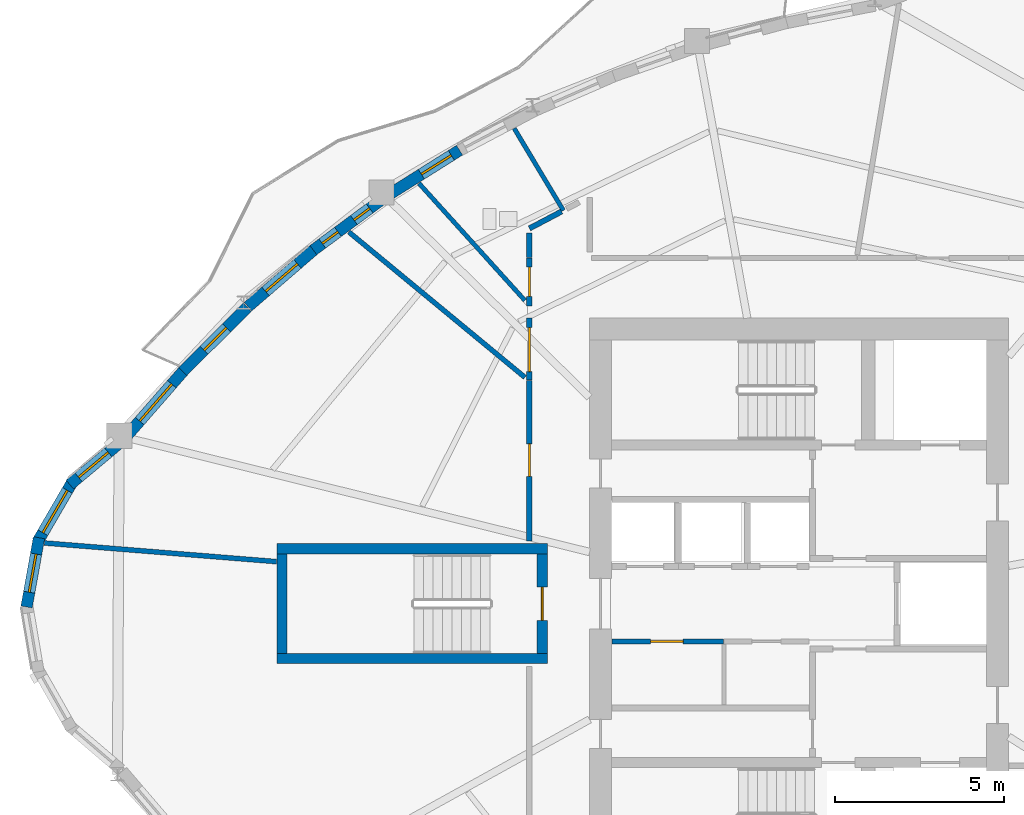
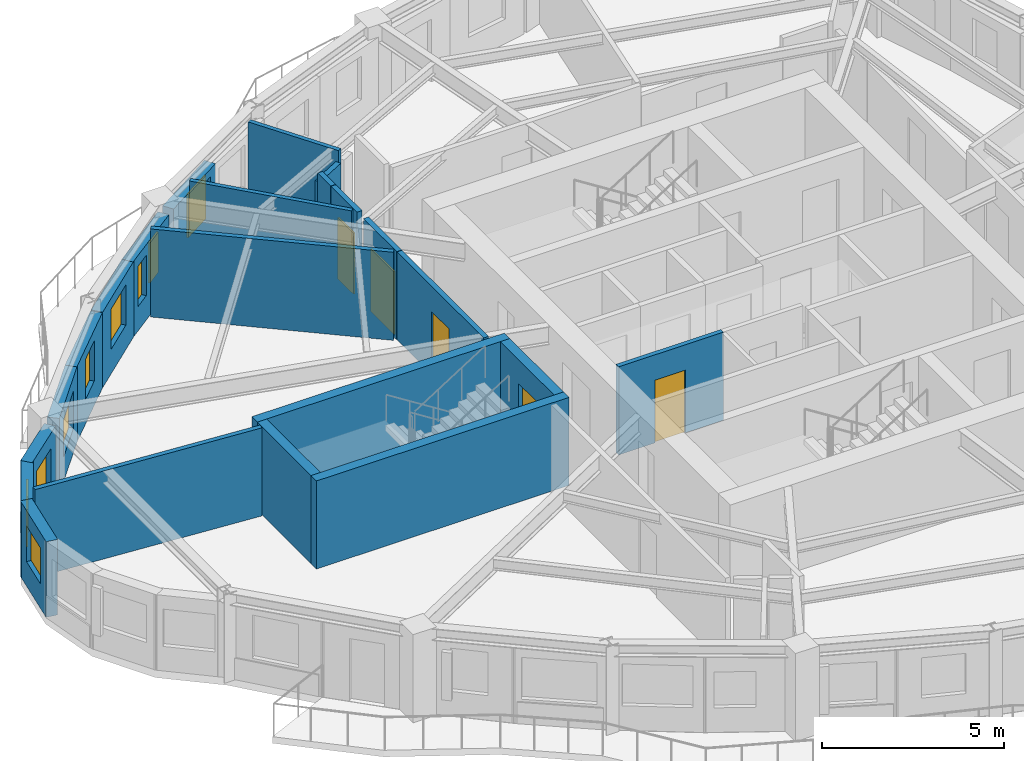
# One storey, part 4 of 11: 22 walls, 9 windows, 5 doors, 14 openings.
"""IFC4 building model written with IfcOpenShell, lengths in metres."""

from ifc_helpers import new_model, si_unit, direction, frame, frame_2d, origin, place, context, subcontext, project, spatial, rectangle, extrude, source, transform, mapped, material, layer, layer_set, type_object, element, fill, save


model = new_model("IFC4")

# Units and contexts
model_context = context("Model", 3, precision=1e-05, world=origin(), true_north=direction((0.0, 1.0)))
body_context = subcontext(model_context, "Body", "Model", "MODEL_VIEW")
ifc_project = project(units=[si_unit("LENGTHUNIT", "METRE"), si_unit("AREAUNIT", "SQUARE_METRE"), si_unit("VOLUMEUNIT", "CUBIC_METRE"), si_unit("PLANEANGLEUNIT", "RADIAN"), si_unit("MASSUNIT", "GRAM", prefix="KILO")], contexts=[model_context])

# Site, building, storey
site_placement = place(None, origin())
site = spatial("IfcSite", under=ifc_project, at=site_placement, CompositionType="ELEMENT")
building_placement = place(site_placement, origin())
building = spatial("IfcBuilding", under=site, at=building_placement, Name="Qafzar Sky-Pleat Residences", CompositionType="ELEMENT")
storey_placement = place(building_placement, frame((0.0, 0.0, 168.199951171875)))
storey = spatial("IfcBuildingStorey", under=building, at=storey_placement, Name="L50", CompositionType="ELEMENT", Elevation=168.199951171875)

# Wall, opening, door
ifc_material_1 = material(Name="Acoustic gypsum plasterboard partition", Category="gypsum")
ifc_layer_1 = layer(ifc_material_1, 0.159912109375)
ifc_layer_set_1 = layer_set([ifc_layer_1], Name="Acoustic gypsum plasterboard partition")
wall_type_1 = type_object("IfcWallType", Name="PART-COR-160", PredefinedType="PARTITIONING", material=ifc_layer_set_1)
wall_1_placement = place(storey_placement, frame((22.3701171875, 27.85009765625, 0.0), z_axis=(0.0, 0.0, 1.0), x_axis=(0.0, 1.0, 0.0)))
wall_1 = element("IfcWall", 1, at=wall_1_placement, inside=storey, type_object=wall_type_1, Name="L50 Partition Wall PART-L50-PW-004", PredefinedType="PARTITIONING", context=body_context, shape_type="SweptSolid", body=[
    extrude(rectangle(XDim=4.7587890625, YDim=0.159912109375, at=frame_2d((2.37939453125, 0.0))), origin(), (0.0, 0.0, 1.0), 2.949951171875),
])
opening_1_placement = place(wall_1_placement, frame((1.9189453125, 0.0, 0.0)))
opening_1 = element("IfcOpeningElement", 2, at=opening_1_placement, cuts=wall_1, Name="Opening ID-06", PredefinedType="OPENING", context=body_context, shape_type="SweptSolid", body=[
    extrude(rectangle(XDim=0.9599609375, YDim=2.10009765625, at=frame_2d((0.47998046875, 1.050048828125))), frame((0.0, 0.08984375, 0.0), z_axis=(0.0, -1.0, 0.0), x_axis=(1.0, 0.0, 0.0)), (0.0, 0.0, 1.0), 0.179931640625),
])
ifc_material_2 = material(Name="Timber-faced fire door", Category="wood")
door_type_1 = type_object("IfcDoorType", Name="DR-STD-960", OperationType="NOTDEFINED", PredefinedType="DOOR", material=ifc_material_2)
shared_shape_1 = source(origin(), body_context, "Body", "SweptSolid", [
    extrude(rectangle(XDim=0.9599609375, YDim=2.10009765625, at=frame_2d((0.47998046875, 1.050048828125))), frame((0.0, 0.02490234375, 0.0), z_axis=(0.0, -1.0, 0.0), x_axis=(1.0, 0.0, 0.0)), (0.0, 0.0, 1.0), 0.050048828125),
])
door_1_placement = place(opening_1_placement, origin())
door_1 = element("IfcDoor", 3, at=door_1_placement, inside=storey, type_object=door_type_1, Name="L50 Graduate Desk Workspace Door", OperationType="SINGLE_SWING_RIGHT", OverallHeight=2.10009765625, OverallWidth=0.9599609375, PredefinedType="DOOR", context=body_context, shape_type="MappedRepresentation", body=[
    mapped(shared_shape_1, transform((0.0, 0.0, 0.0), x_axis=(1.0, 0.0, 0.0), y_axis=(0.0, 1.0, 0.0), z_axis=(0.0, 0.0, 1.0), scale=1.0)),
])
fill(opening_1, door_1)

wall_2_placement = place(storey_placement, frame((22.3701171875, 32.6240234375, 0.0), z_axis=(0.0, 0.0, 1.0), x_axis=(0.0, 1.0, 0.0)))
wall_2 = element("IfcWall", 4, at=wall_2_placement, inside=storey, type_object=wall_type_1, Name="L50 Partition Wall PART-L50-PW-009", PredefinedType="PARTITIONING", context=body_context, shape_type="SweptSolid", body=[
    extrude(rectangle(XDim=1.825927734375, YDim=0.159912109375, at=frame_2d((0.9130859375, 0.0))), origin(), (0.0, 0.0, 1.0), 2.949951171875),
])
opening_2_placement = place(wall_2_placement, frame((0.24560546875, 0.0, 0.0)))
opening_2 = element("IfcOpeningElement", 5, at=opening_2_placement, cuts=wall_2, Name="Opening ID-05", PredefinedType="OPENING", context=body_context, shape_type="SweptSolid", body=[
    extrude(rectangle(XDim=1.300048828125, YDim=2.10009765625, at=frame_2d((0.64990234375, 1.050048828125))), frame((0.0, 0.08984375, 0.0), z_axis=(0.0, -1.0, 0.0), x_axis=(1.0, 0.0, 0.0)), (0.0, 0.0, 1.0), 0.179931640625),
])
door_type_2 = type_object("IfcDoorType", Name="DR-LNG-1300", OperationType="DOUBLE_DOOR_SINGLE_SWING", PredefinedType="DOOR", material=ifc_material_2)
shared_shape_2 = source(origin(), body_context, "Body", "SweptSolid", [
    extrude(rectangle(XDim=1.300048828125, YDim=2.10009765625, at=frame_2d((0.64990234375, 1.050048828125))), frame((0.0, 0.02490234375, 0.0), z_axis=(0.0, -1.0, 0.0), x_axis=(1.0, 0.0, 0.0)), (0.0, 0.0, 1.0), 0.050048828125),
])
door_2_placement = place(opening_2_placement, origin())
door_2 = element("IfcDoor", 6, at=door_2_placement, inside=storey, type_object=door_type_2, Name="L50 Scholar Study Room Door", OperationType="DOUBLE_DOOR_SINGLE_SWING", OverallHeight=2.10009765625, OverallWidth=1.300048828125, PredefinedType="DOOR", context=body_context, shape_type="MappedRepresentation", body=[
    mapped(shared_shape_2, transform((0.0, 0.0, 0.0), x_axis=(1.0, 0.0, 0.0), y_axis=(0.0, 1.0, 0.0), z_axis=(0.0, 0.0, 1.0), scale=1.0)),
])
fill(opening_2, door_2)

wall_3_placement = place(storey_placement, frame((22.3701171875, 34.802978515625, 0.0), z_axis=(0.0, 0.0, 1.0), x_axis=(0.0, 1.0, 0.0)))
wall_3 = element("IfcWall", 7, at=wall_3_placement, inside=storey, type_object=wall_type_1, Name="L50 Partition Wall PART-L50-PW-010", PredefinedType="PARTITIONING", context=body_context, shape_type="SweptSolid", body=[
    extrude(rectangle(XDim=1.427001953125, YDim=0.159912109375, at=frame_2d((0.71337890625, 0.0))), origin(), (0.0, 0.0, 1.0), 2.949951171875),
])
opening_3_placement = place(wall_3_placement, frame((0.294921875, 0.0, 0.0)))
opening_3 = element("IfcOpeningElement", 8, at=opening_3_placement, cuts=wall_3, Name="Opening ID-09", PredefinedType="OPENING", context=body_context, shape_type="SweptSolid", body=[
    extrude(rectangle(XDim=0.860107421875, YDim=2.050048828125, at=frame_2d((0.43017578125, 1.02490234375))), frame((0.0, 0.08984375, 0.0), z_axis=(0.0, -1.0, 0.0), x_axis=(1.0, 0.0, 0.0)), (0.0, 0.0, 1.0), 0.179931640625),
])
door_type_3 = type_object("IfcDoorType", Name="DR-SVC-860", OperationType="NOTDEFINED", PredefinedType="DOOR", material=ifc_material_2)
shared_shape_3 = source(origin(), body_context, "Body", "SweptSolid", [
    extrude(rectangle(XDim=0.860107421875, YDim=2.050048828125, at=frame_2d((0.43017578125, 1.02490234375))), frame((0.0, 0.02490234375, 0.0), z_axis=(0.0, -1.0, 0.0), x_axis=(1.0, 0.0, 0.0)), (0.0, 0.0, 1.0), 0.050048828125),
])
door_3_placement = place(opening_3_placement, origin())
door_3 = element("IfcDoor", 9, at=door_3_placement, inside=storey, type_object=door_type_3, Name="L50 Accessible Shared Washroom Door", OperationType="SINGLE_SWING_RIGHT", OverallHeight=2.050048828125, OverallWidth=0.860107421875, PredefinedType="DOOR", context=body_context, shape_type="MappedRepresentation", body=[
    mapped(shared_shape_3, transform((0.0, 0.0, 0.0), x_axis=(1.0, 0.0, 0.0), y_axis=(0.0, 1.0, 0.0), z_axis=(0.0, 0.0, 1.0), scale=1.0)),
])
fill(opening_3, door_3)

# Walls
wall_4_placement = place(storey_placement, frame((22.3701171875, 37.10498046875, 0.0), z_axis=(0.0, 0.0, 1.0), x_axis=(0.884455008011, 0.466625480234, 0.0)))
element("IfcWall", 10, at=wall_4_placement, inside=storey, type_object=wall_type_1, Name="L50 Partition Wall PART-L50-PW-025", PredefinedType="PARTITIONING", context=body_context, shape_type="SweptSolid", body=[
    extrude(rectangle(XDim=1.07568359375, YDim=0.159912109375, at=frame_2d((0.537841796875, 0.0))), origin(), (0.0, 0.0, 1.0), 2.55810546875),
])
wall_5_placement = place(storey_placement, frame((22.3701171875, 36.2451171875, 0.0), z_axis=(0.0, 0.0, 1.0), x_axis=(0.0, 1.0, 0.0)))
element("IfcWall", 11, at=wall_5_placement, inside=storey, type_object=wall_type_1, Name="L50 Partition Wall PART-L50-PW-027", PredefinedType="PARTITIONING", context=body_context, shape_type="SweptSolid", body=[
    extrude(rectangle(XDim=0.71923828125, YDim=0.159912109375, at=frame_2d((0.359619140625, 0.0))), origin(), (0.0, 0.0, 1.0), 2.949951171875),
])

# Wall, opening, door
ifc_layer_2 = layer(ifc_material_1, 0.14501953125)
ifc_layer_set_2 = layer_set([ifc_layer_2], Name="Acoustic gypsum plasterboard partition")
wall_type_2 = type_object("IfcWallType", Name="PART-UNIT-145", PredefinedType="PARTITIONING", material=ifc_layer_set_2)
wall_6_placement = place(storey_placement, frame((24.81005859375, 24.8798828125, 0.0), z_axis=(0.0, 0.0, 1.0), x_axis=(1.0, 0.0, 0.0)))
wall_6 = element("IfcWall", 12, at=wall_6_placement, inside=storey, type_object=wall_type_2, Name="L50 Partition Wall PART-L50-RECLAIM-N1", PredefinedType="PARTITIONING", context=body_context, shape_type="SweptSolid", body=[
    extrude(rectangle(XDim=3.31005859375, YDim=0.14501953125, at=frame_2d((1.655029296875, 0.0))), origin(), (0.0, 0.0, 1.0), 2.949951171875),
])
opening_4_placement = place(wall_6_placement, frame((1.14990234375, 0.0, 0.0)))
opening_4 = element("IfcOpeningElement", 13, at=opening_4_placement, cuts=wall_6, Name="Opening ID-06", PredefinedType="OPENING", context=body_context, shape_type="SweptSolid", body=[
    extrude(rectangle(XDim=0.9599609375, YDim=2.10009765625, at=frame_2d((0.47998046875, 1.050048828125))), frame((0.0, 0.08251953125, 0.0), z_axis=(0.0, -1.0, 0.0), x_axis=(1.0, 0.0, 0.0)), (0.0, 0.0, 1.0), 0.1650390625),
])
door_4_placement = place(opening_4_placement, origin())
door_4 = element("IfcDoor", 14, at=door_4_placement, inside=storey, type_object=door_type_1, Name="L50 Reclaimed Quiet Study Room Door", OperationType="SINGLE_SWING_LEFT", OverallHeight=2.10009765625, OverallWidth=0.9599609375, PredefinedType="DOOR", context=body_context, shape_type="MappedRepresentation", body=[
    mapped(shared_shape_1, transform((0.0, 0.0, 0.0), x_axis=(1.0, 0.0, 0.0), y_axis=(0.0, 1.0, 0.0), z_axis=(0.0, 0.0, 1.0), scale=1.0)),
])
fill(opening_4, door_4)

# Walls
wall_7_placement = place(storey_placement, frame((17.028076171875, 36.999755859375, 0.0), z_axis=(0.0, 0.0, 1.0), x_axis=(0.771119105053, -0.636690918596, 0.0)))
element("IfcWall", 15, at=wall_7_placement, inside=storey, type_object=wall_type_2, Name="L50 Partition Wall PART-L50-PW-013", PredefinedType="PARTITIONING", context=body_context, shape_type="SweptSolid", body=[
    extrude(rectangle(XDim=6.756103515625, YDim=0.14501953125, at=frame_2d((3.3779296875, 0.0))), origin(), (0.0, 0.0, 1.0), 2.949951171875),
])
wall_8_placement = place(storey_placement, frame((8.015380859375, 27.79736328125, 0.0), z_axis=(0.0, 0.0, 1.0), x_axis=(0.996785477909, -0.080116858581, 0.0)))
element("IfcWall", 16, at=wall_8_placement, inside=storey, type_object=wall_type_2, Name="L50 Partition Wall PART-L50-PW-014", PredefinedType="PARTITIONING", context=body_context, shape_type="SweptSolid", body=[
    extrude(rectangle(XDim=6.89306640625, YDim=0.14501953125, at=frame_2d((3.446533203125, 0.0))), origin(), (0.0, 0.0, 1.0), 2.949951171875),
])
ifc_material_3 = material(Name="Moisture-resistant gypsum partition", Category="gypsum")
ifc_layer_3 = layer(ifc_material_3, 0.1298828125)
ifc_layer_set_3 = layer_set([ifc_layer_3], Name="Moisture-resistant gypsum partition")
wall_type_3 = type_object("IfcWallType", Name="PART-WET-130", PredefinedType="PARTITIONING", material=ifc_layer_set_3)
wall_9_placement = place(storey_placement, frame((19.100830078125, 38.441162109375, 0.0), z_axis=(0.0, 0.0, 1.0), x_axis=(0.670702711046, -0.741726279295, 0.0)))
element("IfcWall", 17, at=wall_9_placement, inside=storey, type_object=wall_type_3, Name="L50 Partition Wall PART-L50-PW-017", PredefinedType="PARTITIONING", context=body_context, shape_type="SweptSolid", body=[
    extrude(rectangle(XDim=4.675048828125, YDim=0.1298828125, at=frame_2d((2.33740234375, 0.0))), origin(), (0.0, 0.0, 1.0), 2.949951171875),
])
wall_10_placement = place(storey_placement, frame((21.920166015625, 40.065185546875, 0.0), z_axis=(0.0, 0.0, 1.0), x_axis=(0.514051974364, -0.857759038223, 0.0)))
element("IfcWall", 18, at=wall_10_placement, inside=storey, type_object=wall_type_3, Name="L50 Partition Wall PART-L50-PW-019", PredefinedType="PARTITIONING", context=body_context, shape_type="SweptSolid", body=[
    extrude(rectangle(XDim=2.83203125, YDim=0.1298828125, at=frame_2d((1.416015625, 0.0))), origin(), (0.0, 0.0, 1.0), 2.949951171875),
])

# Wall, opening, window
ifc_material_4 = material(Name="Precast concrete C40/50 with honed Riyadh limestone", Category="concrete")
ifc_layer_4 = layer(ifc_material_4, 0.340087890625)
ifc_layer_set_4 = layer_set([ifc_layer_4], Name="Precast concrete C40/50 with honed Riyadh limestone")
wall_type_4 = type_object("IfcWallType", Name="WALL-EXT-340", PredefinedType="SOLIDWALL", material=ifc_layer_set_4)
wall_11_placement = place(storey_placement, frame((10.218994140625, 30.7373046875, 0.0), z_axis=(0.0, 0.0, 1.0), x_axis=(-0.76661852922, -0.642102819381, 0.0)))
wall_11 = element("IfcWall", 19, at=wall_11_placement, inside=storey, type_object=wall_type_4, Name="L50 Limestone Facade Wall 1", PredefinedType="SOLIDWALL", context=body_context, shape_type="SweptSolid", body=[
    extrude(rectangle(XDim=1.88818359375, YDim=0.340087890625, at=frame_2d((0.944091796875, 0.0))), origin(), (0.0, 0.0, 1.0), 2.530029296875),
])
opening_5_placement = place(wall_11_placement, frame((0.404052734375, 0.0, 0.820068359375)))
opening_5 = element("IfcOpeningElement", 20, at=opening_5_placement, cuts=wall_11, Name="Opening WN-16", PredefinedType="OPENING", context=body_context, shape_type="SweptSolid", body=[
    extrude(rectangle(XDim=1.14990234375, YDim=1.199951171875, at=frame_2d((0.574951171875, 0.60009765625))), frame((0.0, 0.18017578125, 0.0), z_axis=(0.0, -1.0, 0.0), x_axis=(1.0, 0.0, 0.0)), (0.0, 0.0, 1.0), 0.360107421875),
])
ifc_material_5 = material(Name="Solar-control low-E glass in bronze aluminium frame", Category="glass")
window_type_1 = type_object("IfcWindowType", Name="WIN-16", PartitioningType="SINGLE_PANEL", PredefinedType="WINDOW", material=ifc_material_5)
shared_shape_4 = source(origin(), body_context, "Body", "SweptSolid", [
    extrude(rectangle(XDim=1.14990234375, YDim=1.199951171875, at=frame_2d((0.574951171875, 0.60009765625))), frame((0.0, 0.030029296875, 0.0), z_axis=(0.0, -1.0, 0.0), x_axis=(1.0, 0.0, 0.0)), (0.0, 0.0, 1.0), 0.06005859375),
])
window_1_placement = place(opening_5_placement, origin())
window_1 = element("IfcWindow", 21, at=window_1_placement, inside=storey, type_object=window_type_1, Name="L50 Punched Facade Window 01", OverallHeight=1.199951171875, OverallWidth=1.14990234375, PartitioningType="SINGLE_PANEL", PredefinedType="WINDOW", context=body_context, shape_type="MappedRepresentation", body=[
    mapped(shared_shape_4, transform((0.0, 0.0, 0.0), x_axis=(1.0, 0.0, 0.0), y_axis=(0.0, 1.0, 0.0), z_axis=(0.0, 0.0, 1.0), scale=1.0)),
])
fill(opening_5, window_1)

wall_12_placement = place(storey_placement, frame((8.857666015625, 29.627197265625, 0.0), z_axis=(0.0, 0.0, 1.0), x_axis=(-0.502177965272, -0.864764298058, 0.0)))
wall_12 = element("IfcWall", 22, at=wall_12_placement, inside=storey, type_object=wall_type_4, Name="L50 Limestone Facade Wall 2", PredefinedType="SOLIDWALL", context=body_context, shape_type="SweptSolid", body=[
    extrude(rectangle(XDim=2.081298828125, YDim=0.340087890625, at=frame_2d((1.04052734375, 0.0))), origin(), (0.0, 0.0, 1.0), 2.530029296875),
])
opening_6_placement = place(wall_12_placement, frame((0.3154296875, 0.0, 0.820068359375)))
opening_6 = element("IfcOpeningElement", 23, at=opening_6_placement, cuts=wall_12, Name="Opening WN-15", PredefinedType="OPENING", context=body_context, shape_type="SweptSolid", body=[
    extrude(rectangle(XDim=1.449951171875, YDim=1.25, at=frame_2d((0.72509765625, 0.625))), frame((0.0, 0.18017578125, 0.0), z_axis=(0.0, -1.0, 0.0), x_axis=(1.0, 0.0, 0.0)), (0.0, 0.0, 1.0), 0.360107421875),
])
window_type_2 = type_object("IfcWindowType", Name="WIN-15", PartitioningType="SINGLE_PANEL", PredefinedType="WINDOW", material=ifc_material_5)
shared_shape_5 = source(origin(), body_context, "Body", "SweptSolid", [
    extrude(rectangle(XDim=1.449951171875, YDim=1.25, at=frame_2d((0.72509765625, 0.625))), frame((0.0, 0.030029296875, 0.0), z_axis=(0.0, -1.0, 0.0), x_axis=(1.0, 0.0, 0.0)), (0.0, 0.0, 1.0), 0.06005859375),
])
window_2_placement = place(opening_6_placement, origin())
window_2 = element("IfcWindow", 24, at=window_2_placement, inside=storey, type_object=window_type_2, Name="L50 Punched Facade Window 02", OverallHeight=1.25, OverallWidth=1.449951171875, PartitioningType="SINGLE_PANEL", PredefinedType="WINDOW", context=body_context, shape_type="MappedRepresentation", body=[
    mapped(shared_shape_5, transform((0.0, 0.0, 0.0), x_axis=(1.0, 0.0, 0.0), y_axis=(0.0, 1.0, 0.0), z_axis=(0.0, 0.0, 1.0), scale=1.0)),
])
fill(opening_6, window_2)

wall_13_placement = place(storey_placement, frame((7.858642578125, 27.952880859375, 0.0), z_axis=(0.0, 0.0, 1.0), x_axis=(-0.177605215389, -0.984101817632, 0.0)))
wall_13 = element("IfcWall", 25, at=wall_13_placement, inside=storey, type_object=wall_type_4, Name="L50 Limestone Facade Wall 3", PredefinedType="SOLIDWALL", context=body_context, shape_type="SweptSolid", body=[
    extrude(rectangle(XDim=2.081298828125, YDim=0.340087890625, at=frame_2d((1.04052734375, 0.0))), origin(), (0.0, 0.0, 1.0), 2.530029296875),
])
opening_7_placement = place(wall_13_placement, frame((0.4892578125, 0.0, 0.820068359375)))
opening_7 = element("IfcOpeningElement", 26, at=opening_7_placement, cuts=wall_13, Name="Opening WN-16", PredefinedType="OPENING", context=body_context, shape_type="SweptSolid", body=[
    extrude(rectangle(XDim=1.14990234375, YDim=1.199951171875, at=frame_2d((0.574951171875, 0.60009765625))), frame((0.0, 0.18017578125, 0.0), z_axis=(0.0, -1.0, 0.0), x_axis=(1.0, 0.0, 0.0)), (0.0, 0.0, 1.0), 0.360107421875),
])
window_3_placement = place(opening_7_placement, origin())
window_3 = element("IfcWindow", 27, at=window_3_placement, inside=storey, type_object=window_type_1, Name="L50 Punched Facade Window 03", OverallHeight=1.199951171875, OverallWidth=1.14990234375, PartitioningType="SINGLE_PANEL", PredefinedType="WINDOW", context=body_context, shape_type="MappedRepresentation", body=[
    mapped(shared_shape_4, transform((0.0, 0.0, 0.0), x_axis=(1.0, 0.0, 0.0), y_axis=(0.0, 1.0, 0.0), z_axis=(0.0, 0.0, 1.0), scale=1.0)),
])
fill(opening_7, window_3)

wall_14_placement = place(storey_placement, frame((20.302734375, 39.4208984375, 0.0), z_axis=(0.0, 0.0, 1.0), x_axis=(-0.846381586821, -0.532576951707, 0.0)))
wall_14 = element("IfcWall", 28, at=wall_14_placement, inside=storey, type_object=wall_type_4, Name="L50 Limestone Facade Wall 44", PredefinedType="SOLIDWALL", context=body_context, shape_type="SweptSolid", body=[
    extrude(rectangle(XDim=2.46630859375, YDim=0.340087890625, at=frame_2d((1.233154296875, 0.0))), origin(), (0.0, 0.0, 1.0), 2.530029296875),
])
opening_8_placement = place(wall_14_placement, frame((0.287109375, 0.0, 0.820068359375)))
opening_8 = element("IfcOpeningElement", 29, at=opening_8_placement, cuts=wall_14, Name="Opening WN-06", PredefinedType="OPENING", context=body_context, shape_type="SweptSolid", body=[
    extrude(rectangle(XDim=1.050048828125, YDim=1.449951171875, at=frame_2d((0.52490234375, 0.72509765625))), frame((0.0, 0.18017578125, 0.0), z_axis=(0.0, -1.0, 0.0), x_axis=(1.0, 0.0, 0.0)), (0.0, 0.0, 1.0), 0.360107421875),
])
window_type_3 = type_object("IfcWindowType", Name="WIN-06", PartitioningType="SINGLE_PANEL", PredefinedType="WINDOW", material=ifc_material_5)
shared_shape_6 = source(origin(), body_context, "Body", "SweptSolid", [
    extrude(rectangle(XDim=1.050048828125, YDim=1.449951171875, at=frame_2d((0.52490234375, 0.72509765625))), frame((0.0, 0.030029296875, 0.0), z_axis=(0.0, -1.0, 0.0), x_axis=(1.0, 0.0, 0.0)), (0.0, 0.0, 1.0), 0.06005859375),
])
window_4_placement = place(opening_8_placement, origin())
window_4 = element("IfcWindow", 30, at=window_4_placement, inside=storey, type_object=window_type_3, Name="L50 Punched Facade Window 44", OverallHeight=1.449951171875, OverallWidth=1.050048828125, PartitioningType="SINGLE_PANEL", PredefinedType="WINDOW", context=body_context, shape_type="MappedRepresentation", body=[
    mapped(shared_shape_6, transform((0.0, 0.0, 0.0), x_axis=(1.0, 0.0, 0.0), y_axis=(0.0, 1.0, 0.0), z_axis=(0.0, 0.0, 1.0), scale=1.0)),
])
fill(opening_8, window_4)

# Wall, openings, windows
wall_15_placement = place(storey_placement, frame((17.97021484375, 37.93994140625, 0.0), z_axis=(0.0, 0.0, 1.0), x_axis=(-0.803844722302, -0.594839190393, 0.0)))
wall_15 = element("IfcWall", 31, at=wall_15_placement, inside=storey, type_object=wall_type_4, Name="L50 Limestone Facade Wall 45", PredefinedType="SOLIDWALL", context=body_context, shape_type="SweptSolid", body=[
    extrude(rectangle(XDim=2.48095703125, YDim=0.340087890625, at=frame_2d((1.240478515625, 0.0))), origin(), (0.0, 0.0, 1.0), 2.530029296875),
])
opening_9_placement = place(wall_15_placement, frame((0.4072265625, 0.0, 0.820068359375)))
opening_9 = element("IfcOpeningElement", 32, at=opening_9_placement, cuts=wall_15, Name="Opening WN-17", PredefinedType="OPENING", context=body_context, shape_type="SweptSolid", body=[
    extrude(rectangle(XDim=0.580078125, YDim=1.35009765625, at=frame_2d((0.2900390625, 0.675048828125))), frame((0.0, 0.18017578125, 0.0), z_axis=(0.0, -1.0, 0.0), x_axis=(1.0, 0.0, 0.0)), (0.0, 0.0, 1.0), 0.360107421875),
])
opening_10_placement = place(wall_15_placement, frame((1.572998046875, 0.0, 0.820068359375)))
opening_10 = element("IfcOpeningElement", 33, at=opening_10_placement, cuts=wall_15, Name="Opening WN-17", PredefinedType="OPENING", context=body_context, shape_type="SweptSolid", body=[
    extrude(rectangle(XDim=0.580078125, YDim=1.35009765625, at=frame_2d((0.2900390625, 0.675048828125))), frame((0.0, 0.18017578125, 0.0), z_axis=(0.0, -1.0, 0.0), x_axis=(1.0, 0.0, 0.0)), (0.0, 0.0, 1.0), 0.360107421875),
])
window_type_4 = type_object("IfcWindowType", Name="WIN-17", PartitioningType="SINGLE_PANEL", PredefinedType="WINDOW", material=ifc_material_5)
shared_shape_7 = source(origin(), body_context, "Body", "SweptSolid", [
    extrude(rectangle(XDim=0.580078125, YDim=1.35009765625, at=frame_2d((0.2900390625, 0.675048828125))), frame((0.0, 0.030029296875, 0.0), z_axis=(0.0, -1.0, 0.0), x_axis=(1.0, 0.0, 0.0)), (0.0, 0.0, 1.0), 0.06005859375),
])
window_5_placement = place(opening_9_placement, origin())
window_5 = element("IfcWindow", 34, at=window_5_placement, inside=storey, type_object=window_type_4, Name="L50 Punched Facade Window 45", OverallHeight=1.35009765625, OverallWidth=0.580078125, PartitioningType="SINGLE_PANEL", PredefinedType="WINDOW", context=body_context, shape_type="MappedRepresentation", body=[
    mapped(shared_shape_7, transform((0.0, 0.0, 0.0), x_axis=(1.0, 0.0, 0.0), y_axis=(0.0, 1.0, 0.0), z_axis=(0.0, 0.0, 1.0), scale=1.0)),
])
fill(opening_9, window_5)
window_6_placement = place(opening_10_placement, origin())
window_6 = element("IfcWindow", 35, at=window_6_placement, inside=storey, type_object=window_type_4, Name="L50 Punched Facade Window 45-2", OverallHeight=1.35009765625, OverallWidth=0.580078125, PartitioningType="SINGLE_PANEL", PredefinedType="WINDOW", context=body_context, shape_type="MappedRepresentation", body=[
    mapped(shared_shape_7, transform((0.0, 0.0, 0.0), x_axis=(1.0, 0.0, 0.0), y_axis=(0.0, 1.0, 0.0), z_axis=(0.0, 0.0, 1.0), scale=1.0)),
])
fill(opening_10, window_6)

# Wall, opening, window
wall_16_placement = place(storey_placement, frame((16.044921875, 36.519287109375, 0.0), z_axis=(0.0, 0.0, 1.0), x_axis=(-0.757449302754, -0.652893983551, 0.0)))
wall_16 = element("IfcWall", 36, at=wall_16_placement, inside=storey, type_object=wall_type_4, Name="L50 Limestone Facade Wall 46", PredefinedType="SOLIDWALL", context=body_context, shape_type="SweptSolid", body=[
    extrude(rectangle(XDim=2.6455078125, YDim=0.340087890625, at=frame_2d((1.32275390625, 0.0))), origin(), (0.0, 0.0, 1.0), 2.530029296875),
])
opening_11_placement = place(wall_16_placement, frame((0.707763671875, 0.0, 0.820068359375)))
opening_11 = element("IfcOpeningElement", 37, at=opening_11_placement, cuts=wall_16, Name="Opening WN-11", PredefinedType="OPENING", context=body_context, shape_type="SweptSolid", body=[
    extrude(rectangle(XDim=1.25, YDim=1.35009765625, at=frame_2d((0.625, 0.675048828125))), frame((0.0, 0.18017578125, 0.0), z_axis=(0.0, -1.0, 0.0), x_axis=(1.0, 0.0, 0.0)), (0.0, 0.0, 1.0), 0.360107421875),
])
window_type_5 = type_object("IfcWindowType", Name="WIN-11", PartitioningType="SINGLE_PANEL", PredefinedType="WINDOW", material=ifc_material_5)
shared_shape_8 = source(origin(), body_context, "Body", "SweptSolid", [
    extrude(rectangle(XDim=1.25, YDim=1.35009765625, at=frame_2d((0.625, 0.675048828125))), frame((0.0, 0.030029296875, 0.0), z_axis=(0.0, -1.0, 0.0), x_axis=(1.0, 0.0, 0.0)), (0.0, 0.0, 1.0), 0.06005859375),
])
window_7_placement = place(opening_11_placement, origin())
window_7 = element("IfcWindow", 38, at=window_7_placement, inside=storey, type_object=window_type_5, Name="L50 Punched Facade Window 46", OverallHeight=1.35009765625, OverallWidth=1.25, PartitioningType="SINGLE_PANEL", PredefinedType="WINDOW", context=body_context, shape_type="MappedRepresentation", body=[
    mapped(shared_shape_8, transform((0.0, 0.0, 0.0), x_axis=(1.0, 0.0, 0.0), y_axis=(0.0, 1.0, 0.0), z_axis=(0.0, 0.0, 1.0), scale=1.0)),
])
fill(opening_11, window_7)

wall_17_placement = place(storey_placement, frame((14.020751953125, 34.773193359375, 0.0), z_axis=(0.0, 0.0, 1.0), x_axis=(-0.708421987765, -0.705789123784, 0.0)))
wall_17 = element("IfcWall", 39, at=wall_17_placement, inside=storey, type_object=wall_type_4, Name="L50 Limestone Facade Wall 47", PredefinedType="SOLIDWALL", context=body_context, shape_type="SweptSolid", body=[
    extrude(rectangle(XDim=2.689208984375, YDim=0.340087890625, at=frame_2d((1.3447265625, 0.0))), origin(), (0.0, 0.0, 1.0), 2.530029296875),
])
opening_12_placement = place(wall_17_placement, frame((0.859619140625, 0.0, 0.820068359375)))
opening_12 = element("IfcOpeningElement", 40, at=opening_12_placement, cuts=wall_17, Name="Opening WN-12", PredefinedType="OPENING", context=body_context, shape_type="SweptSolid", body=[
    extrude(rectangle(XDim=0.949951171875, YDim=1.35009765625, at=frame_2d((0.47509765625, 0.675048828125))), frame((0.0, 0.18017578125, 0.0), z_axis=(0.0, -1.0, 0.0), x_axis=(1.0, 0.0, 0.0)), (0.0, 0.0, 1.0), 0.360107421875),
])
window_type_6 = type_object("IfcWindowType", Name="WIN-12", PartitioningType="SINGLE_PANEL", PredefinedType="WINDOW", material=ifc_material_5)
shared_shape_9 = source(origin(), body_context, "Body", "SweptSolid", [
    extrude(rectangle(XDim=0.949951171875, YDim=1.35009765625, at=frame_2d((0.47509765625, 0.675048828125))), frame((0.0, 0.030029296875, 0.0), z_axis=(0.0, -1.0, 0.0), x_axis=(1.0, 0.0, 0.0)), (0.0, 0.0, 1.0), 0.06005859375),
])
window_8_placement = place(opening_12_placement, origin())
window_8 = element("IfcWindow", 41, at=window_8_placement, inside=storey, type_object=window_type_6, Name="L50 Punched Facade Window 47", OverallHeight=1.35009765625, OverallWidth=0.949951171875, PartitioningType="SINGLE_PANEL", PredefinedType="WINDOW", context=body_context, shape_type="MappedRepresentation", body=[
    mapped(shared_shape_9, transform((0.0, 0.0, 0.0), x_axis=(1.0, 0.0, 0.0), y_axis=(0.0, 1.0, 0.0), z_axis=(0.0, 0.0, 1.0), scale=1.0)),
])
fill(opening_12, window_8)

wall_18_placement = place(storey_placement, frame((12.17578125, 32.939208984375, 0.0), z_axis=(0.0, 0.0, 1.0), x_axis=(-0.65766354423, -0.753311796397, 0.0)))
wall_18 = element("IfcWall", 42, at=wall_18_placement, inside=storey, type_object=wall_type_4, Name="L50 Limestone Facade Wall 48", PredefinedType="SOLIDWALL", context=body_context, shape_type="SweptSolid", body=[
    extrude(rectangle(XDim=2.611083984375, YDim=0.340087890625, at=frame_2d((1.3056640625, 0.0))), origin(), (0.0, 0.0, 1.0), 2.530029296875),
])
opening_13_placement = place(wall_18_placement, frame((0.585693359375, 0.0, 0.820068359375)))
opening_13 = element("IfcOpeningElement", 43, at=opening_13_placement, cuts=wall_18, Name="Opening WN-15", PredefinedType="OPENING", context=body_context, shape_type="SweptSolid", body=[
    extrude(rectangle(XDim=1.449951171875, YDim=1.25, at=frame_2d((0.72509765625, 0.625))), frame((0.0, 0.18017578125, 0.0), z_axis=(0.0, -1.0, 0.0), x_axis=(1.0, 0.0, 0.0)), (0.0, 0.0, 1.0), 0.360107421875),
])
window_9_placement = place(opening_13_placement, origin())
window_9 = element("IfcWindow", 44, at=window_9_placement, inside=storey, type_object=window_type_2, Name="L50 Punched Facade Window 48", OverallHeight=1.25, OverallWidth=1.449951171875, PartitioningType="SINGLE_PANEL", PredefinedType="WINDOW", context=body_context, shape_type="MappedRepresentation", body=[
    mapped(shared_shape_5, transform((0.0, 0.0, 0.0), x_axis=(1.0, 0.0, 0.0), y_axis=(0.0, 1.0, 0.0), z_axis=(0.0, 0.0, 1.0), scale=1.0)),
])
fill(opening_13, window_9)

# Walls
ifc_material_6 = material(Name="Concrete C60/75", Category="concrete")
ifc_layer_5 = layer(ifc_material_6, 0.300048828125)
ifc_layer_set_5 = layer_set([ifc_layer_5], Name="Concrete C60/75")
wall_type_5 = type_object("IfcWallType", Name="WALL-SHEAR-300", PredefinedType="SHEAR", material=ifc_layer_set_5)
for number, where, z_axis, x_axis, name in (
    (45, (14.89990234375, 24.375, 0.0), (0.0, 0.0, 1.0), (1.0, 0.0, 0.0), "L50 ST3 wall S"),
    (46, (22.89990234375, 27.625, 0.0), (0.0, 0.0, 1.0), (-1.0, 0.0, 0.0), "L50 ST3 wall N"),
):
    element("IfcWall", number, at=place(storey_placement, frame(where, z_axis=z_axis, x_axis=x_axis)), inside=storey, type_object=wall_type_5, Name=name, PredefinedType="SHEAR", context=body_context, shape_type="SweptSolid", body=[
        extrude(rectangle(XDim=8.0, YDim=0.300048828125, at=frame_2d((4.0, 0.0))), origin(), (0.0, 0.0, 1.0), 2.949951171875),
    ])
wall_19_placement = place(storey_placement, frame((15.050048828125, 27.47509765625, 0.0), z_axis=(0.0, 0.0, 1.0), x_axis=(0.0, -1.0, 0.0)))
element("IfcWall", 47, at=wall_19_placement, inside=storey, type_object=wall_type_5, Name="L50 ST3 wall W", PredefinedType="SHEAR", context=body_context, shape_type="SweptSolid", body=[
    extrude(rectangle(XDim=2.9501953125, YDim=0.300048828125, at=frame_2d((1.47509765625, 0.0))), origin(), (0.0, 0.0, 1.0), 2.949951171875),
])

# Wall, opening, door
wall_20_placement = place(storey_placement, frame((22.75, 24.52490234375, 0.0), z_axis=(0.0, 0.0, 1.0), x_axis=(0.0, 1.0, 0.0)))
wall_20 = element("IfcWall", 48, at=wall_20_placement, inside=storey, type_object=wall_type_5, Name="L50 ST3 wall E", PredefinedType="SHEAR", context=body_context, shape_type="SweptSolid", body=[
    extrude(rectangle(XDim=2.9501953125, YDim=0.300048828125, at=frame_2d((1.47509765625, 0.0))), origin(), (0.0, 0.0, 1.0), 2.949951171875),
])
opening_14_placement = place(wall_20_placement, frame((0.985107421875, 0.0, 0.0)))
opening_14 = element("IfcOpeningElement", 49, at=opening_14_placement, cuts=wall_20, Name="Opening ID-01", PredefinedType="OPENING", context=body_context, shape_type="SweptSolid", body=[
    extrude(rectangle(XDim=0.97998046875, YDim=2.14990234375, at=frame_2d((0.489990234375, 1.074951171875))), frame((0.0, 0.16015625, 0.0), z_axis=(0.0, -1.0, 0.0), x_axis=(1.0, 0.0, 0.0)), (0.0, 0.0, 1.0), 0.320068359375),
])
door_type_4 = type_object("IfcDoorType", Name="DR-STAIR-980", OperationType="NOTDEFINED", PredefinedType="DOOR", material=ifc_material_2)
shared_shape_10 = source(origin(), body_context, "Body", "SweptSolid", [
    extrude(rectangle(XDim=0.97998046875, YDim=2.14990234375, at=frame_2d((0.489990234375, 1.074951171875))), frame((0.0, 0.02490234375, 0.0), z_axis=(0.0, -1.0, 0.0), x_axis=(1.0, 0.0, 0.0)), (0.0, 0.0, 1.0), 0.050048828125),
])
door_5_placement = place(opening_14_placement, origin())
door_5 = element("IfcDoor", 50, at=door_5_placement, inside=storey, type_object=door_type_4, Name="L50 Stair ST3 Fire Door", OperationType="SINGLE_SWING_RIGHT", OverallHeight=2.14990234375, OverallWidth=0.97998046875, PredefinedType="DOOR", context=body_context, shape_type="MappedRepresentation", body=[
    mapped(shared_shape_10, transform((0.0, 0.0, 0.0), x_axis=(1.0, 0.0, 0.0), y_axis=(0.0, 1.0, 0.0), z_axis=(0.0, 0.0, 1.0), scale=1.0)),
])
fill(opening_14, door_5)

save(model, "model.ifc")
